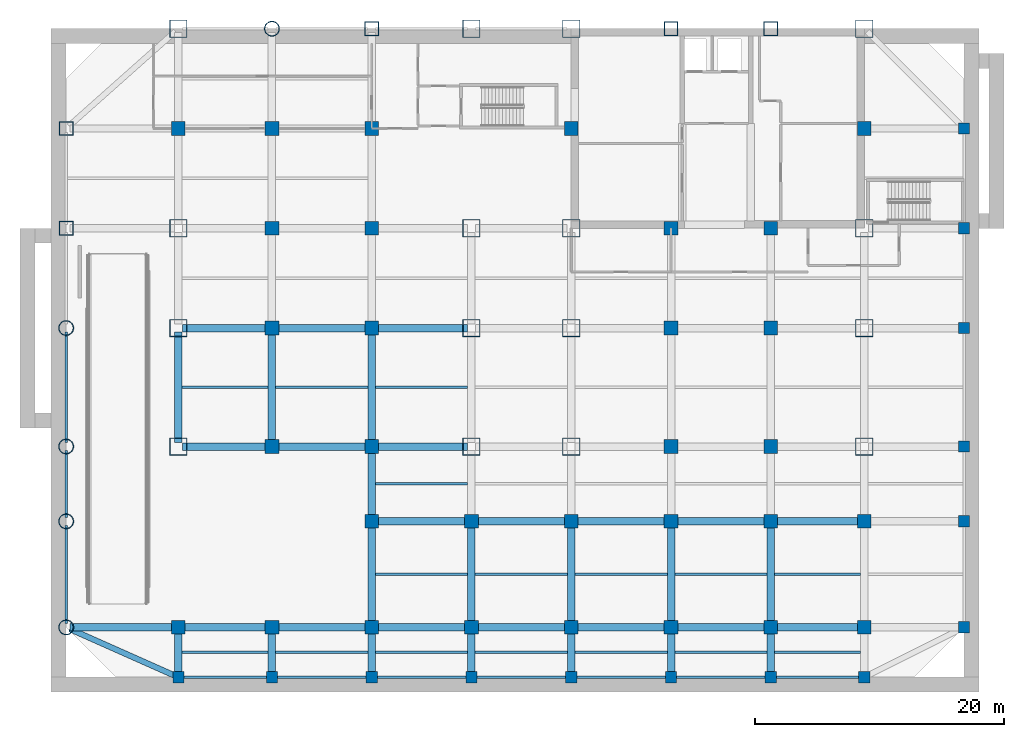
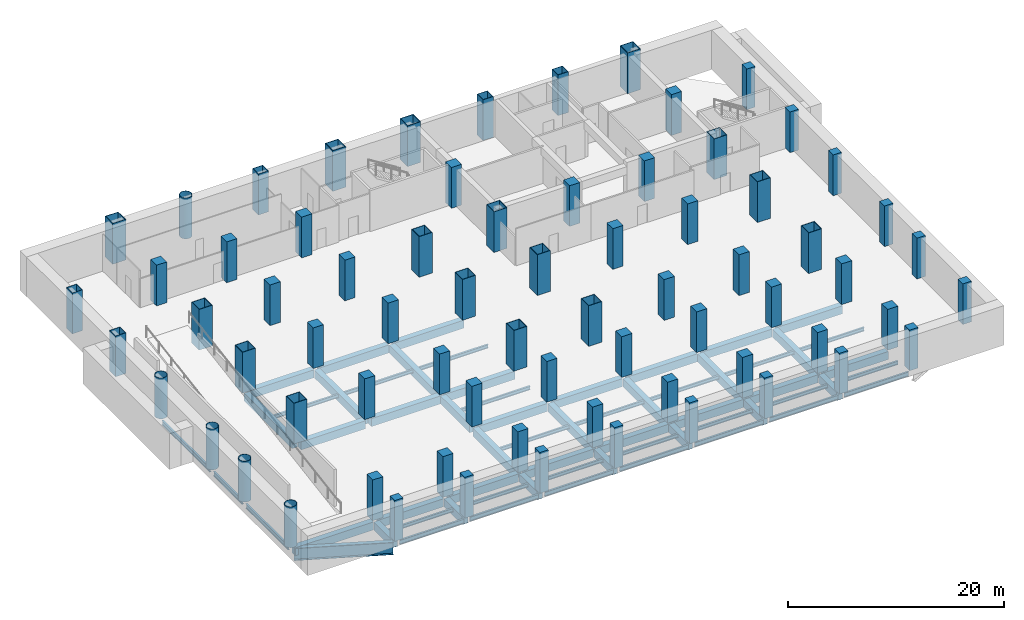
# One storey, part 1 of 8: 71 columns, 62 beams.
"""IFC4 building model written with IfcOpenShell, lengths in metres."""

from ifc_helpers import new_model, si_unit, direction, frame, origin, origin_2d, place, context, subcontext, project, spatial, rectangle, hollow_rectangle, hollow_circle, i_section, extrude, material, material_profile, profile_set, type_object, element, save


model = new_model("IFC4")

# Units and contexts
model_context = context("Model", 3, precision=1e-05, world=origin(), true_north=direction((0.0, 1.0)))
body_context = subcontext(model_context, "Body", "Model", "MODEL_VIEW")
ifc_project = project(units=[si_unit("LENGTHUNIT", "METRE"), si_unit("AREAUNIT", "SQUARE_METRE"), si_unit("VOLUMEUNIT", "CUBIC_METRE"), si_unit("PLANEANGLEUNIT", "RADIAN"), si_unit("MASSUNIT", "GRAM", prefix="KILO")], contexts=[model_context])

# Site, building, storey
site_placement = place(None, origin())
site = spatial("IfcSite", under=ifc_project, at=site_placement, CompositionType="ELEMENT")
building_placement = place(site_placement, origin())
building = spatial("IfcBuilding", under=site, at=building_placement, Name="Qianrong Seaharbour Tower", CompositionType="ELEMENT")
storey_placement = place(building_placement, frame((0.0, 0.0, -4.60009765625)))
storey = spatial("IfcBuildingStorey", under=building, at=storey_placement, Name="B01", CompositionType="ELEMENT", Elevation=-4.60009765625)

# Columns
ifc_material_1 = material(Name="Structural steel SN490B", Category="steel")
ifc_material_profile_1 = material_profile(ifc_material_1, hollow_rectangle(XDim=1.39990234375, YDim=1.39990234375, WallThickness=0.050048828125, at=origin_2d()), Name="BOX1400x1400x50")
ifc_profile_set_1 = profile_set([ifc_material_profile_1], Name="Structural steel SN490B")
column_type_1 = type_object("IfcColumnType", Name="COL-CFT-1400", PredefinedType="COLUMN", material=ifc_profile_set_1)
for number, where, z_axis, x_axis, name in (
    (1, (9.0, 18.5, 0.0), (0.0, 0.0, 1.0), (1.0, 0.0, 0.0), "B01 Column MC-1 at G2/GD"),
    (2, (9.0, 28.0, 0.0), (0.0, 0.0, 1.0), (1.0, 0.0, 0.0), "B01 Column MC-1 at G2/GE"),
    (3, (9.0, 36.0, 0.0), (0.0, 0.0, 1.0), (1.0, 0.0, 0.0), "B01 Column MC-1 at G2/GF"),
    (4, (9.0, 52.0, 0.0), (0.0, 0.0, 1.0), (1.0, 0.0, 0.0), "B01 Column MC-1 at G2/GH"),
    (5, (32.5, 18.5, 0.0), (0.0, 0.0, 1.0), (1.0, 0.0, 0.0), "B01 Column MC-1 at G5/GD"),
    (6, (32.5, 28.0, 0.0), (0.0, 0.0, 1.0), (1.0, 0.0, 0.0), "B01 Column MC-1 at G5/GE"),
    (7, (32.5, 36.0, 0.0), (0.0, 0.0, 1.0), (1.0, 0.0, 0.0), "B01 Column MC-1 at G5/GF"),
    (8, (32.5, 52.0, 0.0), (0.0, 0.0, 1.0), (1.0, 0.0, 0.0), "B01 Column MC-1 at G5/GH"),
    (9, (40.5, 18.5, 0.0), (0.0, 0.0, 1.0), (1.0, 0.0, 0.0), "B01 Column MC-1 at G6/GD"),
    (10, (40.5, 28.0, 0.0), (0.0, 0.0, 1.0), (1.0, 0.0, 0.0), "B01 Column MC-1 at G6/GE"),
    (11, (40.5, 36.0, 0.0), (0.0, 0.0, 1.0), (1.0, 0.0, 0.0), "B01 Column MC-1 at G6/GF"),
    (12, (40.5, 52.0, 0.0), (0.0, 0.0, 1.0), (1.0, 0.0, 0.0), "B01 Column MC-1 at G6/GH"),
    (13, (64.0, 18.5, 0.0), (0.0, 0.0, 1.0), (1.0, 0.0, 0.0), "B01 Column MC-1 at G9/GD"),
    (14, (64.0, 28.0, 0.0), (0.0, 0.0, 1.0), (1.0, 0.0, 0.0), "B01 Column MC-1 at G9/GE"),
    (15, (64.0, 36.0, 0.0), (0.0, 0.0, 1.0), (1.0, 0.0, 0.0), "B01 Column MC-1 at G9/GF"),
    (16, (64.0, 52.0, 0.0), (0.0, 0.0, 1.0), (1.0, 0.0, 0.0), "B01 Column MC-1 at G9/GH"),
):
    element("IfcColumn", number, at=place(storey_placement, frame(where, z_axis=z_axis, x_axis=x_axis)), inside=storey, type_object=column_type_1, Name=name, PredefinedType="COLUMN", context=body_context, shape_type="SweptSolid", body=[
        extrude(hollow_rectangle(XDim=1.39990234375, YDim=1.39990234375, WallThickness=0.050048828125, at=origin_2d()), origin(), (0.0, 0.0, 1.0), 4.60009765625),
    ])
ifc_material_profile_2 = material_profile(ifc_material_1, hollow_circle(Radius=0.60009765625, WallThickness=0.0400390625, at=origin_2d()), Name="CHS1200x40")
ifc_profile_set_2 = profile_set([ifc_material_profile_2], Name="Structural steel SN490B")
column_type_2 = type_object("IfcColumnType", Name="COL-CHS-1200", PredefinedType="COLUMN", material=ifc_profile_set_2)
for number, where, z_axis, x_axis, name in (
    (17, (0.0, 4.0, 0.0), (0.0, 0.0, 1.0), (1.0, 0.0, 0.0), "B01 Column CC-1 at G1/GB"),
    (18, (0.0, 12.5, 0.0), (0.0, 0.0, 1.0), (1.0, 0.0, 0.0), "B01 Column CC-1 at G1/GC"),
    (19, (0.0, 18.5, 0.0), (0.0, 0.0, 1.0), (1.0, 0.0, 0.0), "B01 Column CC-1 at G1/GD"),
    (20, (0.0, 28.0, 0.0), (0.0, 0.0, 1.0), (1.0, 0.0, 0.0), "B01 Column CC-1 at G1/GE"),
    (21, (16.5, 52.0, 0.0), (0.0, 0.0, 1.0), (1.0, 0.0, 0.0), "B01 Column CC-1 at G3/GH"),
):
    element("IfcColumn", number, at=place(storey_placement, frame(where, z_axis=z_axis, x_axis=x_axis)), inside=storey, type_object=column_type_2, Name=name, PredefinedType="COLUMN", context=body_context, shape_type="SweptSolid", body=[
        extrude(hollow_circle(Radius=0.60009765625, WallThickness=0.0400390625, at=origin_2d()), origin(), (0.0, 0.0, 1.0), 4.60009765625),
    ])
ifc_material_2 = material(Name="Concrete C70/85", Category="concrete")
ifc_material_profile_3 = material_profile(ifc_material_2, rectangle(XDim=1.10009765625, YDim=1.10009765625, at=origin_2d()), Name="RC1100x1100")
ifc_profile_set_3 = profile_set([ifc_material_profile_3], Name="Concrete C70/85")
column_type_3 = type_object("IfcColumnType", Name="COL-INT-RC1100", PredefinedType="COLUMN", material=ifc_profile_set_3)
for number, where, z_axis, x_axis, name in (
    (22, (9.0, 4.0, 0.0), (0.0, 0.0, 1.0), (1.0, 0.0, 0.0), "B01 Column IC-1 at G2/GB"),
    (23, (9.0, 44.0, 0.0), (0.0, 0.0, 1.0), (1.0, 0.0, 0.0), "B01 Column IC-1 at G2/GG"),
    (24, (16.5, 4.0, 0.0), (0.0, 0.0, 1.0), (1.0, 0.0, 0.0), "B01 Column IC-1 at G3/GB"),
    (25, (16.5, 18.5, 0.0), (0.0, 0.0, 1.0), (1.0, 0.0, 0.0), "B01 Column IC-1 at G3/GD"),
    (26, (16.5, 28.0, 0.0), (0.0, 0.0, 1.0), (1.0, 0.0, 0.0), "B01 Column IC-1 at G3/GE"),
    (27, (16.5, 36.0, 0.0), (0.0, 0.0, 1.0), (1.0, 0.0, 0.0), "B01 Column IC-1 at G3/GF"),
    (28, (16.5, 44.0, 0.0), (0.0, 0.0, 1.0), (1.0, 0.0, 0.0), "B01 Column IC-1 at G3/GG"),
    (29, (24.5, 4.0, 0.0), (0.0, 0.0, 1.0), (1.0, 0.0, 0.0), "B01 Column IC-1 at G4/GB"),
    (30, (24.5, 12.5, 0.0), (0.0, 0.0, 1.0), (1.0, 0.0, 0.0), "B01 Column IC-1 at G4/GC"),
    (31, (24.5, 18.5, 0.0), (0.0, 0.0, 1.0), (1.0, 0.0, 0.0), "B01 Column IC-1 at G4/GD"),
    (32, (24.5, 28.0, 0.0), (0.0, 0.0, 1.0), (1.0, 0.0, 0.0), "B01 Column IC-1 at G4/GE"),
    (33, (24.5, 36.0, 0.0), (0.0, 0.0, 1.0), (1.0, 0.0, 0.0), "B01 Column IC-1 at G4/GF"),
    (34, (24.5, 44.0, 0.0), (0.0, 0.0, 1.0), (1.0, 0.0, 0.0), "B01 Column IC-1 at G4/GG"),
    (35, (32.5, 4.0, 0.0), (0.0, 0.0, 1.0), (1.0, 0.0, 0.0), "B01 Column IC-1 at G5/GB"),
    (36, (32.5, 12.5, 0.0), (0.0, 0.0, 1.0), (1.0, 0.0, 0.0), "B01 Column IC-1 at G5/GC"),
    (37, (40.5, 4.0, 0.0), (0.0, 0.0, 1.0), (1.0, 0.0, 0.0), "B01 Column IC-1 at G6/GB"),
    (38, (40.5, 12.5, 0.0), (0.0, 0.0, 1.0), (1.0, 0.0, 0.0), "B01 Column IC-1 at G6/GC"),
    (39, (40.5, 44.0, 0.0), (0.0, 0.0, 1.0), (1.0, 0.0, 0.0), "B01 Column IC-1 at G6/GG"),
    (40, (48.5, 4.0, 0.0), (0.0, 0.0, 1.0), (1.0, 0.0, 0.0), "B01 Column IC-1 at G7/GB"),
    (41, (48.5, 12.5, 0.0), (0.0, 0.0, 1.0), (1.0, 0.0, 0.0), "B01 Column IC-1 at G7/GC"),
    (42, (48.5, 18.5, 0.0), (0.0, 0.0, 1.0), (1.0, 0.0, 0.0), "B01 Column IC-1 at G7/GD"),
    (43, (48.5, 28.0, 0.0), (0.0, 0.0, 1.0), (1.0, 0.0, 0.0), "B01 Column IC-1 at G7/GE"),
    (44, (48.5, 36.0, 0.0), (0.0, 0.0, 1.0), (1.0, 0.0, 0.0), "B01 Column IC-1 at G7/GF"),
    (45, (56.5, 4.0, 0.0), (0.0, 0.0, 1.0), (1.0, 0.0, 0.0), "B01 Column IC-1 at G8/GB"),
    (46, (56.5, 12.5, 0.0), (0.0, 0.0, 1.0), (1.0, 0.0, 0.0), "B01 Column IC-1 at G8/GC"),
    (47, (56.5, 18.5, 0.0), (0.0, 0.0, 1.0), (1.0, 0.0, 0.0), "B01 Column IC-1 at G8/GD"),
    (48, (56.5, 28.0, 0.0), (0.0, 0.0, 1.0), (1.0, 0.0, 0.0), "B01 Column IC-1 at G8/GE"),
    (49, (56.5, 36.0, 0.0), (0.0, 0.0, 1.0), (1.0, 0.0, 0.0), "B01 Column IC-1 at G8/GF"),
    (50, (64.0, 4.0, 0.0), (0.0, 0.0, 1.0), (1.0, 0.0, 0.0), "B01 Column IC-1 at G9/GB"),
    (51, (64.0, 12.5, 0.0), (0.0, 0.0, 1.0), (1.0, 0.0, 0.0), "B01 Column IC-1 at G9/GC"),
    (52, (64.0, 44.0, 0.0), (0.0, 0.0, 1.0), (1.0, 0.0, 0.0), "B01 Column IC-1 at G9/GG"),
):
    element("IfcColumn", number, at=place(storey_placement, frame(where, z_axis=z_axis, x_axis=x_axis)), inside=storey, type_object=column_type_3, Name=name, PredefinedType="COLUMN", context=body_context, shape_type="SweptSolid", body=[
        extrude(rectangle(XDim=1.10009765625, YDim=1.10009765625, at=origin_2d()), origin(), (0.0, 0.0, 1.0), 4.60009765625),
    ])
ifc_material_profile_4 = material_profile(ifc_material_1, hollow_rectangle(XDim=1.10009765625, YDim=1.10009765625, WallThickness=0.0400390625, at=origin_2d()), Name="BOX1100x1100x40")
ifc_profile_set_4 = profile_set([ifc_material_profile_4], Name="Structural steel SN490B")
column_type_4 = type_object("IfcColumnType", Name="COL-PER-1100", PredefinedType="COLUMN", material=ifc_profile_set_4)
for number, where, z_axis, x_axis, name in (
    (53, (0.0, 36.0, 0.0), (0.0, 0.0, 1.0), (1.0, 0.0, 0.0), "B01 Column PC-1 at G1/GF"),
    (54, (0.0, 44.0, 0.0), (0.0, 0.0, 1.0), (1.0, 0.0, 0.0), "B01 Column PC-1 at G1/GG"),
    (55, (24.5, 52.0, 0.0), (0.0, 0.0, 1.0), (1.0, 0.0, 0.0), "B01 Column PC-1 at G4/GH"),
    (56, (48.5, 52.0, 0.0), (0.0, 0.0, 1.0), (1.0, 0.0, 0.0), "B01 Column PC-1 at G7/GH"),
    (57, (56.5, 52.0, 0.0), (0.0, 0.0, 1.0), (1.0, 0.0, 0.0), "B01 Column PC-1 at G8/GH"),
):
    element("IfcColumn", number, at=place(storey_placement, frame(where, z_axis=z_axis, x_axis=x_axis)), inside=storey, type_object=column_type_4, Name=name, PredefinedType="COLUMN", context=body_context, shape_type="SweptSolid", body=[
        extrude(hollow_rectangle(XDim=1.10009765625, YDim=1.10009765625, WallThickness=0.0400390625, at=origin_2d()), origin(), (0.0, 0.0, 1.0), 4.60009765625),
    ])
ifc_material_3 = material(Name="Concrete C60/75", Category="concrete")
ifc_material_profile_5 = material_profile(ifc_material_3, rectangle(XDim=0.89990234375, YDim=0.89990234375, at=origin_2d()), Name="RC900x900")
ifc_profile_set_5 = profile_set([ifc_material_profile_5], Name="Concrete C60/75")
column_type_5 = type_object("IfcColumnType", Name="COL-PIL-RC900", PredefinedType="PILASTER", material=ifc_profile_set_5)
for number, where, z_axis, x_axis, name in (
    (58, (9.0, 0.0, 0.0), (0.0, 0.0, 1.0), (1.0, 0.0, 0.0), "B01 Column CP-1 at G2/GA"),
    (59, (16.5, 0.0, 0.0), (0.0, 0.0, 1.0), (1.0, 0.0, 0.0), "B01 Column CP-1 at G3/GA"),
    (60, (24.5, 0.0, 0.0), (0.0, 0.0, 1.0), (1.0, 0.0, 0.0), "B01 Column CP-1 at G4/GA"),
    (61, (32.5, 0.0, 0.0), (0.0, 0.0, 1.0), (1.0, 0.0, 0.0), "B01 Column CP-1 at G5/GA"),
    (62, (40.5, 0.0, 0.0), (0.0, 0.0, 1.0), (1.0, 0.0, 0.0), "B01 Column CP-1 at G6/GA"),
    (63, (48.5, 0.0, 0.0), (0.0, 0.0, 1.0), (1.0, 0.0, 0.0), "B01 Column CP-1 at G7/GA"),
    (64, (56.5, 0.0, 0.0), (0.0, 0.0, 1.0), (1.0, 0.0, 0.0), "B01 Column CP-1 at G8/GA"),
    (65, (64.0, 0.0, 0.0), (0.0, 0.0, 1.0), (1.0, 0.0, 0.0), "B01 Column CP-1 at G9/GA"),
    (66, (72.0, 4.0, 0.0), (0.0, 0.0, 1.0), (1.0, 0.0, 0.0), "B01 Column CP-1 at G10/GB"),
    (67, (72.0, 12.5, 0.0), (0.0, 0.0, 1.0), (1.0, 0.0, 0.0), "B01 Column CP-1 at G10/GC"),
    (68, (72.0, 18.5, 0.0), (0.0, 0.0, 1.0), (1.0, 0.0, 0.0), "B01 Column CP-1 at G10/GD"),
    (69, (72.0, 28.0, 0.0), (0.0, 0.0, 1.0), (1.0, 0.0, 0.0), "B01 Column CP-1 at G10/GE"),
    (70, (72.0, 36.0, 0.0), (0.0, 0.0, 1.0), (1.0, 0.0, 0.0), "B01 Column CP-1 at G10/GF"),
    (71, (72.0, 44.0, 0.0), (0.0, 0.0, 1.0), (1.0, 0.0, 0.0), "B01 Column CP-1 at G10/GG"),
):
    element("IfcColumn", number, at=place(storey_placement, frame(where, z_axis=z_axis, x_axis=x_axis)), inside=storey, type_object=column_type_5, Name=name, PredefinedType="PILASTER", context=body_context, shape_type="SweptSolid", body=[
        extrude(rectangle(XDim=0.89990234375, YDim=0.89990234375, at=origin_2d()), origin(), (0.0, 0.0, 1.0), 4.60009765625),
    ])

# Beams
ifc_material_4 = material(Name="Structural steel SN400B", Category="steel")
ifc_material_profile_6 = material_profile(ifc_material_4, i_section(OverallWidth=0.199951171875, OverallDepth=0.39990234375, WebThickness=0.008056640625, FlangeThickness=0.012939453125, FilletRadius=0.01611328125, at=origin_2d()), Name="H400x200x8x13")
ifc_profile_set_6 = profile_set([ifc_material_profile_6], Name="Structural steel SN400B")
beam_type_1 = type_object("IfcBeamType", Name="BM-J-400", PredefinedType="JOIST", material=ifc_profile_set_6)
for number, where, z_axis, x_axis, name in (
    (72, (9.300048828125, 2.0, -0.559814453125), (1.0, 0.0, 0.0), (0.0, 1.0, 0.0), "B01 Composite Floor Joist G2-G3/GA-GB"),
    (73, (9.300048828125, 23.25, -0.559814453125), (1.0, 0.0, 0.0), (0.0, 1.0, 0.0), "B01 Composite Floor Joist G2-G3/GD-GE"),
):
    element("IfcBeam", number, at=place(storey_placement, frame(where, z_axis=z_axis, x_axis=x_axis)), inside=storey, type_object=beam_type_1, Name=name, PredefinedType="JOIST", context=body_context, shape_type="SweptSolid", body=[
        extrude(i_section(OverallWidth=0.199951171875, OverallDepth=0.39990234375, WebThickness=0.008056640625, FlangeThickness=0.012939453125, FilletRadius=0.01611328125, at=origin_2d()), origin(), (0.0, 0.0, 1.0), 6.89990234375),
    ])
for number, where, z_axis, x_axis, name in (
    (74, (16.800048828125, 2.0, -0.559814453125), (1.0, 0.0, 0.0), (0.0, 1.0, 0.0), "B01 Composite Floor Joist G3-G4/GA-GB"),
    (75, (16.800048828125, 23.25, -0.559814453125), (1.0, 0.0, 0.0), (0.0, 1.0, 0.0), "B01 Composite Floor Joist G3-G4/GD-GE"),
    (76, (24.800048828125, 2.0, -0.559814453125), (1.0, 0.0, 0.0), (0.0, 1.0, 0.0), "B01 Composite Floor Joist G4-G5/GA-GB"),
    (77, (24.800048828125, 8.25, -0.559814453125), (1.0, 0.0, 0.0), (0.0, 1.0, 0.0), "B01 Composite Floor Joist G4-G5/GB-GC"),
    (78, (24.800048828125, 15.5, -0.559814453125), (1.0, 0.0, 0.0), (0.0, 1.0, 0.0), "B01 Composite Floor Joist G4-G5/GC-GD"),
    (79, (24.800048828125, 23.25, -0.559814453125), (1.0, 0.0, 0.0), (0.0, 1.0, 0.0), "B01 Composite Floor Joist G4-G5/GD-GE"),
    (80, (32.800048828125, 2.0, -0.559814453125), (1.0, 0.0, 0.0), (0.0, 1.0, 0.0), "B01 Composite Floor Joist G5-G6/GA-GB"),
    (81, (32.800048828125, 8.25, -0.559814453125), (1.0, 0.0, 0.0), (0.0, 1.0, 0.0), "B01 Composite Floor Joist G5-G6/GB-GC"),
    (82, (40.800048828125, 2.0, -0.559814453125), (1.0, 0.0, 0.0), (0.0, 1.0, 0.0), "B01 Composite Floor Joist G6-G7/GA-GB"),
    (83, (40.800048828125, 8.25, -0.559814453125), (1.0, 0.0, 0.0), (0.0, 1.0, 0.0), "B01 Composite Floor Joist G6-G7/GB-GC"),
    (84, (48.800048828125, 2.0, -0.559814453125), (1.0, 0.0, 0.0), (0.0, 1.0, 0.0), "B01 Composite Floor Joist G7-G8/GA-GB"),
    (85, (48.800048828125, 8.25, -0.559814453125), (1.0, 0.0, 0.0), (0.0, 1.0, 0.0), "B01 Composite Floor Joist G7-G8/GB-GC"),
):
    element("IfcBeam", number, at=place(storey_placement, frame(where, z_axis=z_axis, x_axis=x_axis)), inside=storey, type_object=beam_type_1, Name=name, PredefinedType="JOIST", context=body_context, shape_type="SweptSolid", body=[
        extrude(i_section(OverallWidth=0.199951171875, OverallDepth=0.39990234375, WebThickness=0.008056640625, FlangeThickness=0.012939453125, FilletRadius=0.01611328125, at=origin_2d()), origin(), (0.0, 0.0, 1.0), 7.39990234375),
    ])
for number, where, z_axis, x_axis, name in (
    (86, (56.800048828125, 2.0, -0.559814453125), (1.0, 0.0, 0.0), (0.0, 1.0, 0.0), "B01 Composite Floor Joist G8-G9/GA-GB"),
    (87, (56.800048828125, 8.25, -0.559814453125), (1.0, 0.0, 0.0), (0.0, 1.0, 0.0), "B01 Composite Floor Joist G8-G9/GB-GC"),
):
    element("IfcBeam", number, at=place(storey_placement, frame(where, z_axis=z_axis, x_axis=x_axis)), inside=storey, type_object=beam_type_1, Name=name, PredefinedType="JOIST", context=body_context, shape_type="SweptSolid", body=[
        extrude(i_section(OverallWidth=0.199951171875, OverallDepth=0.39990234375, WebThickness=0.008056640625, FlangeThickness=0.012939453125, FilletRadius=0.01611328125, at=origin_2d()), origin(), (0.0, 0.0, 1.0), 6.89990234375),
    ])
ifc_material_5 = material(Name="Concrete C50/60", Category="concrete")
ifc_material_profile_7 = material_profile(ifc_material_5, rectangle(XDim=0.60009765625, YDim=0.89990234375, at=origin_2d()), Name="RC600x900")
ifc_profile_set_7 = profile_set([ifc_material_profile_7], Name="Concrete C50/60")
beam_type_2 = type_object("IfcBeamType", Name="BM-RC-T900", PredefinedType="T_BEAM", material=ifc_profile_set_7)
beam_1_placement = place(storey_placement, frame((0.320068359375, 4.0, -0.809814453125), z_axis=(1.0, 0.0, 0.0), x_axis=(0.0, 1.0, 0.0)))
element("IfcBeam", 88, at=beam_1_placement, inside=storey, type_object=beam_type_2, Name="B01 Primary Girder GB G1-G2", PredefinedType="T_BEAM", context=body_context, shape_type="SweptSolid", body=[
    extrude(rectangle(XDim=0.60009765625, YDim=0.89990234375, at=origin_2d()), origin(), (0.0, 0.0, 1.0), 8.35986328125),
])
beam_2_placement = place(storey_placement, frame((9.320068359375, 4.0, -0.809814453125), z_axis=(1.0, 0.0, 0.0), x_axis=(0.0, 1.0, 0.0)))
element("IfcBeam", 89, at=beam_2_placement, inside=storey, type_object=beam_type_2, Name="B01 Primary Girder GB G2-G3", PredefinedType="T_BEAM", context=body_context, shape_type="SweptSolid", body=[
    extrude(rectangle(XDim=0.60009765625, YDim=0.89990234375, at=origin_2d()), origin(), (0.0, 0.0, 1.0), 6.85986328125),
])
for number, where, z_axis, x_axis, name in (
    (90, (16.820068359375, 4.0, -0.809814453125), (1.0, 0.0, 0.0), (0.0, 1.0, 0.0), "B01 Primary Girder GB G3-G4"),
    (91, (24.820068359375, 4.0, -0.809814453125), (1.0, 0.0, 0.0), (0.0, 1.0, 0.0), "B01 Primary Girder GB G4-G5"),
    (92, (32.820068359375, 4.0, -0.809814453125), (1.0, 0.0, 0.0), (0.0, 1.0, 0.0), "B01 Primary Girder GB G5-G6"),
    (93, (40.820068359375, 4.0, -0.809814453125), (1.0, 0.0, 0.0), (0.0, 1.0, 0.0), "B01 Primary Girder GB G6-G7"),
    (94, (48.820068359375, 4.0, -0.809814453125), (1.0, 0.0, 0.0), (0.0, 1.0, 0.0), "B01 Primary Girder GB G7-G8"),
):
    element("IfcBeam", number, at=place(storey_placement, frame(where, z_axis=z_axis, x_axis=x_axis)), inside=storey, type_object=beam_type_2, Name=name, PredefinedType="T_BEAM", context=body_context, shape_type="SweptSolid", body=[
        extrude(rectangle(XDim=0.60009765625, YDim=0.89990234375, at=origin_2d()), origin(), (0.0, 0.0, 1.0), 7.35986328125),
    ])
beam_3_placement = place(storey_placement, frame((56.820068359375, 4.0, -0.809814453125), z_axis=(1.0, 0.0, 0.0), x_axis=(0.0, 1.0, 0.0)))
element("IfcBeam", 95, at=beam_3_placement, inside=storey, type_object=beam_type_2, Name="B01 Primary Girder GB G8-G9", PredefinedType="T_BEAM", context=body_context, shape_type="SweptSolid", body=[
    extrude(rectangle(XDim=0.60009765625, YDim=0.89990234375, at=origin_2d()), origin(), (0.0, 0.0, 1.0), 6.85986328125),
])
for number, where, z_axis, x_axis, name in (
    (96, (24.820068359375, 12.5, -0.809814453125), (1.0, 0.0, 0.0), (0.0, 1.0, 0.0), "B01 Primary Girder GC G4-G5"),
    (97, (32.820068359375, 12.5, -0.809814453125), (1.0, 0.0, 0.0), (0.0, 1.0, 0.0), "B01 Primary Girder GC G5-G6"),
    (98, (40.820068359375, 12.5, -0.809814453125), (1.0, 0.0, 0.0), (0.0, 1.0, 0.0), "B01 Primary Girder GC G6-G7"),
    (99, (48.820068359375, 12.5, -0.809814453125), (1.0, 0.0, 0.0), (0.0, 1.0, 0.0), "B01 Primary Girder GC G7-G8"),
):
    element("IfcBeam", number, at=place(storey_placement, frame(where, z_axis=z_axis, x_axis=x_axis)), inside=storey, type_object=beam_type_2, Name=name, PredefinedType="T_BEAM", context=body_context, shape_type="SweptSolid", body=[
        extrude(rectangle(XDim=0.60009765625, YDim=0.89990234375, at=origin_2d()), origin(), (0.0, 0.0, 1.0), 7.35986328125),
    ])
for number, where, z_axis, x_axis, name in (
    (100, (56.820068359375, 12.5, -0.809814453125), (1.0, 0.0, 0.0), (0.0, 1.0, 0.0), "B01 Primary Girder GC G8-G9"),
    (101, (9.320068359375, 18.5, -0.809814453125), (1.0, 0.0, 0.0), (0.0, 1.0, 0.0), "B01 Primary Girder GD G2-G3"),
):
    element("IfcBeam", number, at=place(storey_placement, frame(where, z_axis=z_axis, x_axis=x_axis)), inside=storey, type_object=beam_type_2, Name=name, PredefinedType="T_BEAM", context=body_context, shape_type="SweptSolid", body=[
        extrude(rectangle(XDim=0.60009765625, YDim=0.89990234375, at=origin_2d()), origin(), (0.0, 0.0, 1.0), 6.85986328125),
    ])
for number, where, z_axis, x_axis, name in (
    (102, (16.820068359375, 18.5, -0.809814453125), (1.0, 0.0, 0.0), (0.0, 1.0, 0.0), "B01 Primary Girder GD G3-G4"),
    (103, (24.820068359375, 18.5, -0.809814453125), (1.0, 0.0, 0.0), (0.0, 1.0, 0.0), "B01 Primary Girder GD G4-G5"),
):
    element("IfcBeam", number, at=place(storey_placement, frame(where, z_axis=z_axis, x_axis=x_axis)), inside=storey, type_object=beam_type_2, Name=name, PredefinedType="T_BEAM", context=body_context, shape_type="SweptSolid", body=[
        extrude(rectangle(XDim=0.60009765625, YDim=0.89990234375, at=origin_2d()), origin(), (0.0, 0.0, 1.0), 7.35986328125),
    ])
beam_4_placement = place(storey_placement, frame((9.320068359375, 28.0, -0.809814453125), z_axis=(1.0, 0.0, 0.0), x_axis=(0.0, 1.0, 0.0)))
element("IfcBeam", 104, at=beam_4_placement, inside=storey, type_object=beam_type_2, Name="B01 Primary Girder GE G2-G3", PredefinedType="T_BEAM", context=body_context, shape_type="SweptSolid", body=[
    extrude(rectangle(XDim=0.60009765625, YDim=0.89990234375, at=origin_2d()), origin(), (0.0, 0.0, 1.0), 6.85986328125),
])
for number, where, z_axis, x_axis, name in (
    (105, (16.820068359375, 28.0, -0.809814453125), (1.0, 0.0, 0.0), (0.0, 1.0, 0.0), "B01 Primary Girder GE G3-G4"),
    (106, (24.820068359375, 28.0, -0.809814453125), (1.0, 0.0, 0.0), (0.0, 1.0, 0.0), "B01 Primary Girder GE G4-G5"),
):
    element("IfcBeam", number, at=place(storey_placement, frame(where, z_axis=z_axis, x_axis=x_axis)), inside=storey, type_object=beam_type_2, Name=name, PredefinedType="T_BEAM", context=body_context, shape_type="SweptSolid", body=[
        extrude(rectangle(XDim=0.60009765625, YDim=0.89990234375, at=origin_2d()), origin(), (0.0, 0.0, 1.0), 7.35986328125),
    ])
beam_5_placement = place(storey_placement, frame((9.0, 0.320068359375, -0.809814453125), z_axis=(0.0, 1.0, 0.0), x_axis=(-1.0, 0.0, 0.0)))
element("IfcBeam", 107, at=beam_5_placement, inside=storey, type_object=beam_type_2, Name="B01 Primary Girder G2 GA-GB", PredefinedType="T_BEAM", context=body_context, shape_type="SweptSolid", body=[
    extrude(rectangle(XDim=0.60009765625, YDim=0.89990234375, at=origin_2d()), origin(), (0.0, 0.0, 1.0), 3.35986328125),
])
beam_6_placement = place(storey_placement, frame((9.0, 18.820068359375, -0.809814453125), z_axis=(0.0, 1.0, 0.0), x_axis=(-1.0, 0.0, 0.0)))
element("IfcBeam", 108, at=beam_6_placement, inside=storey, type_object=beam_type_2, Name="B01 Primary Girder G2 GD-GE", PredefinedType="T_BEAM", context=body_context, shape_type="SweptSolid", body=[
    extrude(rectangle(XDim=0.60009765625, YDim=0.89990234375, at=origin_2d()), origin(), (0.0, 0.0, 1.0), 8.85986328125),
])
beam_7_placement = place(storey_placement, frame((16.5, 0.320068359375, -0.809814453125), z_axis=(0.0, 1.0, 0.0), x_axis=(-1.0, 0.0, 0.0)))
element("IfcBeam", 109, at=beam_7_placement, inside=storey, type_object=beam_type_2, Name="B01 Primary Girder G3 GA-GB", PredefinedType="T_BEAM", context=body_context, shape_type="SweptSolid", body=[
    extrude(rectangle(XDim=0.60009765625, YDim=0.89990234375, at=origin_2d()), origin(), (0.0, 0.0, 1.0), 3.35986328125),
])
beam_8_placement = place(storey_placement, frame((16.5, 18.820068359375, -0.809814453125), z_axis=(0.0, 1.0, 0.0), x_axis=(-1.0, 0.0, 0.0)))
element("IfcBeam", 110, at=beam_8_placement, inside=storey, type_object=beam_type_2, Name="B01 Primary Girder G3 GD-GE", PredefinedType="T_BEAM", context=body_context, shape_type="SweptSolid", body=[
    extrude(rectangle(XDim=0.60009765625, YDim=0.89990234375, at=origin_2d()), origin(), (0.0, 0.0, 1.0), 8.85986328125),
])
beam_9_placement = place(storey_placement, frame((24.5, 0.320068359375, -0.809814453125), z_axis=(0.0, 1.0, 0.0), x_axis=(-1.0, 0.0, 0.0)))
element("IfcBeam", 111, at=beam_9_placement, inside=storey, type_object=beam_type_2, Name="B01 Primary Girder G4 GA-GB", PredefinedType="T_BEAM", context=body_context, shape_type="SweptSolid", body=[
    extrude(rectangle(XDim=0.60009765625, YDim=0.89990234375, at=origin_2d()), origin(), (0.0, 0.0, 1.0), 3.35986328125),
])
beam_10_placement = place(storey_placement, frame((24.5, 4.320068359375, -0.809814453125), z_axis=(0.0, 1.0, 0.0), x_axis=(-1.0, 0.0, 0.0)))
element("IfcBeam", 112, at=beam_10_placement, inside=storey, type_object=beam_type_2, Name="B01 Primary Girder G4 GB-GC", PredefinedType="T_BEAM", context=body_context, shape_type="SweptSolid", body=[
    extrude(rectangle(XDim=0.60009765625, YDim=0.89990234375, at=origin_2d()), origin(), (0.0, 0.0, 1.0), 7.85986328125),
])
beam_11_placement = place(storey_placement, frame((24.5, 12.820068359375, -0.809814453125), z_axis=(0.0, 1.0, 0.0), x_axis=(-1.0, 0.0, 0.0)))
element("IfcBeam", 113, at=beam_11_placement, inside=storey, type_object=beam_type_2, Name="B01 Primary Girder G4 GC-GD", PredefinedType="T_BEAM", context=body_context, shape_type="SweptSolid", body=[
    extrude(rectangle(XDim=0.60009765625, YDim=0.89990234375, at=origin_2d()), origin(), (0.0, 0.0, 1.0), 5.35986328125),
])
beam_12_placement = place(storey_placement, frame((24.5, 18.820068359375, -0.809814453125), z_axis=(0.0, 1.0, 0.0), x_axis=(-1.0, 0.0, 0.0)))
element("IfcBeam", 114, at=beam_12_placement, inside=storey, type_object=beam_type_2, Name="B01 Primary Girder G4 GD-GE", PredefinedType="T_BEAM", context=body_context, shape_type="SweptSolid", body=[
    extrude(rectangle(XDim=0.60009765625, YDim=0.89990234375, at=origin_2d()), origin(), (0.0, 0.0, 1.0), 8.85986328125),
])
beam_13_placement = place(storey_placement, frame((32.5, 0.320068359375, -0.809814453125), z_axis=(0.0, 1.0, 0.0), x_axis=(-1.0, 0.0, 0.0)))
element("IfcBeam", 115, at=beam_13_placement, inside=storey, type_object=beam_type_2, Name="B01 Primary Girder G5 GA-GB", PredefinedType="T_BEAM", context=body_context, shape_type="SweptSolid", body=[
    extrude(rectangle(XDim=0.60009765625, YDim=0.89990234375, at=origin_2d()), origin(), (0.0, 0.0, 1.0), 3.35986328125),
])
beam_14_placement = place(storey_placement, frame((32.5, 4.320068359375, -0.809814453125), z_axis=(0.0, 1.0, 0.0), x_axis=(-1.0, 0.0, 0.0)))
element("IfcBeam", 116, at=beam_14_placement, inside=storey, type_object=beam_type_2, Name="B01 Primary Girder G5 GB-GC", PredefinedType="T_BEAM", context=body_context, shape_type="SweptSolid", body=[
    extrude(rectangle(XDim=0.60009765625, YDim=0.89990234375, at=origin_2d()), origin(), (0.0, 0.0, 1.0), 7.85986328125),
])
beam_15_placement = place(storey_placement, frame((40.5, 0.320068359375, -0.809814453125), z_axis=(0.0, 1.0, 0.0), x_axis=(-1.0, 0.0, 0.0)))
element("IfcBeam", 117, at=beam_15_placement, inside=storey, type_object=beam_type_2, Name="B01 Primary Girder G6 GA-GB", PredefinedType="T_BEAM", context=body_context, shape_type="SweptSolid", body=[
    extrude(rectangle(XDim=0.60009765625, YDim=0.89990234375, at=origin_2d()), origin(), (0.0, 0.0, 1.0), 3.35986328125),
])
beam_16_placement = place(storey_placement, frame((40.5, 4.320068359375, -0.809814453125), z_axis=(0.0, 1.0, 0.0), x_axis=(-1.0, 0.0, 0.0)))
element("IfcBeam", 118, at=beam_16_placement, inside=storey, type_object=beam_type_2, Name="B01 Primary Girder G6 GB-GC", PredefinedType="T_BEAM", context=body_context, shape_type="SweptSolid", body=[
    extrude(rectangle(XDim=0.60009765625, YDim=0.89990234375, at=origin_2d()), origin(), (0.0, 0.0, 1.0), 7.85986328125),
])
beam_17_placement = place(storey_placement, frame((48.5, 0.320068359375, -0.809814453125), z_axis=(0.0, 1.0, 0.0), x_axis=(-1.0, 0.0, 0.0)))
element("IfcBeam", 119, at=beam_17_placement, inside=storey, type_object=beam_type_2, Name="B01 Primary Girder G7 GA-GB", PredefinedType="T_BEAM", context=body_context, shape_type="SweptSolid", body=[
    extrude(rectangle(XDim=0.60009765625, YDim=0.89990234375, at=origin_2d()), origin(), (0.0, 0.0, 1.0), 3.35986328125),
])
beam_18_placement = place(storey_placement, frame((48.5, 4.320068359375, -0.809814453125), z_axis=(0.0, 1.0, 0.0), x_axis=(-1.0, 0.0, 0.0)))
element("IfcBeam", 120, at=beam_18_placement, inside=storey, type_object=beam_type_2, Name="B01 Primary Girder G7 GB-GC", PredefinedType="T_BEAM", context=body_context, shape_type="SweptSolid", body=[
    extrude(rectangle(XDim=0.60009765625, YDim=0.89990234375, at=origin_2d()), origin(), (0.0, 0.0, 1.0), 7.85986328125),
])
beam_19_placement = place(storey_placement, frame((56.5, 0.320068359375, -0.809814453125), z_axis=(0.0, 1.0, 0.0), x_axis=(-1.0, 0.0, 0.0)))
element("IfcBeam", 121, at=beam_19_placement, inside=storey, type_object=beam_type_2, Name="B01 Primary Girder G8 GA-GB", PredefinedType="T_BEAM", context=body_context, shape_type="SweptSolid", body=[
    extrude(rectangle(XDim=0.60009765625, YDim=0.89990234375, at=origin_2d()), origin(), (0.0, 0.0, 1.0), 3.35986328125),
])
beam_20_placement = place(storey_placement, frame((56.5, 4.320068359375, -0.809814453125), z_axis=(0.0, 1.0, 0.0), x_axis=(-1.0, 0.0, 0.0)))
element("IfcBeam", 122, at=beam_20_placement, inside=storey, type_object=beam_type_2, Name="B01 Primary Girder G8 GB-GC", PredefinedType="T_BEAM", context=body_context, shape_type="SweptSolid", body=[
    extrude(rectangle(XDim=0.60009765625, YDim=0.89990234375, at=origin_2d()), origin(), (0.0, 0.0, 1.0), 7.85986328125),
])
ifc_material_profile_8 = material_profile(ifc_material_1, i_section(OverallWidth=0.199951171875, OverallDepth=0.5, WebThickness=0.010009765625, FlangeThickness=0.01611328125, FilletRadius=0.02001953125, at=origin_2d()), Name="H500x200x10x16")
ifc_profile_set_8 = profile_set([ifc_material_profile_8], Name="Structural steel SN490B")
beam_type_3 = type_object("IfcBeamType", Name="BM-SP-500", PredefinedType="SPANDREL", material=ifc_profile_set_8)
beam_21_placement = place(storey_placement, frame((9.320068359375, 0.0, -0.60986328125), z_axis=(1.0, 0.0, 0.0), x_axis=(0.0, 1.0, 0.0)))
element("IfcBeam", 123, at=beam_21_placement, inside=storey, type_object=beam_type_3, Name="B01 Spandrel Girder GA G2-G3", PredefinedType="SPANDREL", context=body_context, shape_type="SweptSolid", body=[
    extrude(i_section(OverallWidth=0.199951171875, OverallDepth=0.5, WebThickness=0.010009765625, FlangeThickness=0.01611328125, FilletRadius=0.02001953125, at=origin_2d()), origin(), (0.0, 0.0, 1.0), 6.85986328125),
])
for number, where, z_axis, x_axis, name in (
    (124, (16.820068359375, 0.0, -0.60986328125), (1.0, 0.0, 0.0), (0.0, 1.0, 0.0), "B01 Spandrel Girder GA G3-G4"),
    (125, (24.820068359375, 0.0, -0.60986328125), (1.0, 0.0, 0.0), (0.0, 1.0, 0.0), "B01 Spandrel Girder GA G4-G5"),
    (126, (32.820068359375, 0.0, -0.60986328125), (1.0, 0.0, 0.0), (0.0, 1.0, 0.0), "B01 Spandrel Girder GA G5-G6"),
    (127, (40.820068359375, 0.0, -0.60986328125), (1.0, 0.0, 0.0), (0.0, 1.0, 0.0), "B01 Spandrel Girder GA G6-G7"),
    (128, (48.820068359375, 0.0, -0.60986328125), (1.0, 0.0, 0.0), (0.0, 1.0, 0.0), "B01 Spandrel Girder GA G7-G8"),
):
    element("IfcBeam", number, at=place(storey_placement, frame(where, z_axis=z_axis, x_axis=x_axis)), inside=storey, type_object=beam_type_3, Name=name, PredefinedType="SPANDREL", context=body_context, shape_type="SweptSolid", body=[
        extrude(i_section(OverallWidth=0.199951171875, OverallDepth=0.5, WebThickness=0.010009765625, FlangeThickness=0.01611328125, FilletRadius=0.02001953125, at=origin_2d()), origin(), (0.0, 0.0, 1.0), 7.35986328125),
    ])
beam_22_placement = place(storey_placement, frame((56.820068359375, 0.0, -0.60986328125), z_axis=(1.0, 0.0, 0.0), x_axis=(0.0, 1.0, 0.0)))
element("IfcBeam", 129, at=beam_22_placement, inside=storey, type_object=beam_type_3, Name="B01 Spandrel Girder GA G8-G9", PredefinedType="SPANDREL", context=body_context, shape_type="SweptSolid", body=[
    extrude(i_section(OverallWidth=0.199951171875, OverallDepth=0.5, WebThickness=0.010009765625, FlangeThickness=0.01611328125, FilletRadius=0.02001953125, at=origin_2d()), origin(), (0.0, 0.0, 1.0), 6.85986328125),
])
beam_23_placement = place(storey_placement, frame((0.0, 4.320068359375, -0.60986328125), z_axis=(0.0, 1.0, 0.0), x_axis=(-1.0, 0.0, 0.0)))
element("IfcBeam", 130, at=beam_23_placement, inside=storey, type_object=beam_type_3, Name="B01 Spandrel Girder G1 GB-GC", PredefinedType="SPANDREL", context=body_context, shape_type="SweptSolid", body=[
    extrude(i_section(OverallWidth=0.199951171875, OverallDepth=0.5, WebThickness=0.010009765625, FlangeThickness=0.01611328125, FilletRadius=0.02001953125, at=origin_2d()), origin(), (0.0, 0.0, 1.0), 7.85986328125),
])
beam_24_placement = place(storey_placement, frame((0.0, 12.820068359375, -0.60986328125), z_axis=(0.0, 1.0, 0.0), x_axis=(-1.0, 0.0, 0.0)))
element("IfcBeam", 131, at=beam_24_placement, inside=storey, type_object=beam_type_3, Name="B01 Spandrel Girder G1 GC-GD", PredefinedType="SPANDREL", context=body_context, shape_type="SweptSolid", body=[
    extrude(i_section(OverallWidth=0.199951171875, OverallDepth=0.5, WebThickness=0.010009765625, FlangeThickness=0.01611328125, FilletRadius=0.02001953125, at=origin_2d()), origin(), (0.0, 0.0, 1.0), 5.35986328125),
])
beam_25_placement = place(storey_placement, frame((0.0, 18.820068359375, -0.60986328125), z_axis=(0.0, 1.0, 0.0), x_axis=(-1.0, 0.0, 0.0)))
element("IfcBeam", 132, at=beam_25_placement, inside=storey, type_object=beam_type_3, Name="B01 Spandrel Girder G1 GD-GE", PredefinedType="SPANDREL", context=body_context, shape_type="SweptSolid", body=[
    extrude(i_section(OverallWidth=0.199951171875, OverallDepth=0.5, WebThickness=0.010009765625, FlangeThickness=0.01611328125, FilletRadius=0.02001953125, at=origin_2d()), origin(), (0.0, 0.0, 1.0), 8.85986328125),
])
ifc_material_profile_9 = material_profile(ifc_material_1, i_section(OverallWidth=0.449951171875, OverallDepth=1.39990234375, WebThickness=0.02197265625, FlangeThickness=0.0400390625, at=origin_2d()), Name="BH1400x450x22x40")
ifc_profile_set_9 = profile_set([ifc_material_profile_9], Name="Structural steel SN490B")
beam_type_4 = type_object("IfcBeamType", Name="BM-TG-1400", PredefinedType="BEAM", material=ifc_profile_set_9)
beam_26_placement = place(storey_placement, frame((8.70751953125, 0.1298828125, -1.059814453125), z_axis=(-0.913802802304, 0.406158144694, 0.0), x_axis=(-0.406158144694, -0.913802802304, 0.0)))
element("IfcBeam", 133, at=beam_26_placement, inside=storey, type_object=beam_type_4, Name="B01 Chamfer Corner Spandrel Girder G1/GA", PredefinedType="BEAM", context=body_context, shape_type="SweptSolid", body=[
    extrude(i_section(OverallWidth=0.449951171875, OverallDepth=1.39990234375, WebThickness=0.02197265625, FlangeThickness=0.0400390625, at=origin_2d()), origin(), (0.0, 0.0, 1.0), 9.208740234375),
])

save(model, "model.ifc")
